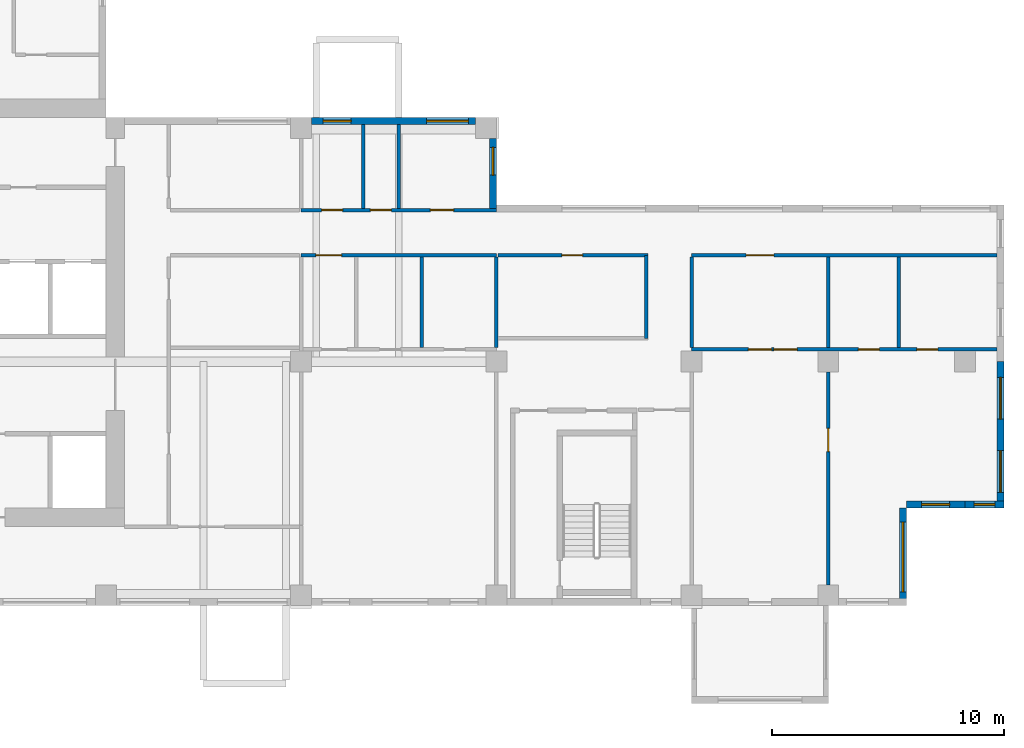
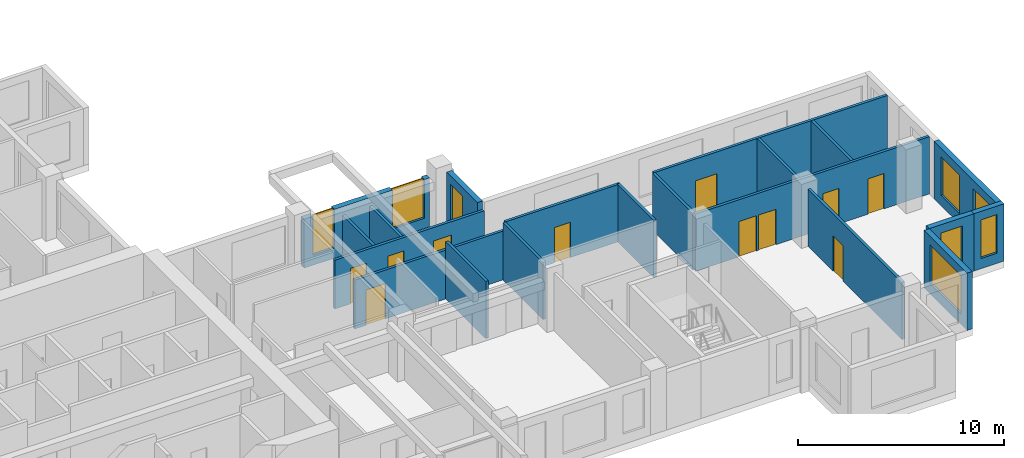
# One storey, part 5 of 12: 20 walls, 11 doors, 8 windows, 19 openings.
"""IFC4 building model written with IfcOpenShell, lengths in metres."""

from ifc_helpers import new_model, si_unit, direction, frame, frame_2d, origin, place, context, subcontext, project, spatial, rectangle, extrude, source, transform, mapped, material, layer, layer_set, type_object, element, fill, save


model = new_model("IFC4")

# Units and contexts
model_context = context("Model", 3, precision=1e-05, world=origin(), true_north=direction((0.0, 1.0)))
body_context = subcontext(model_context, "Body", "Model", "MODEL_VIEW")
ifc_project = project(units=[si_unit("LENGTHUNIT", "METRE"), si_unit("AREAUNIT", "SQUARE_METRE"), si_unit("VOLUMEUNIT", "CUBIC_METRE"), si_unit("PLANEANGLEUNIT", "RADIAN"), si_unit("MASSUNIT", "GRAM", prefix="KILO")], contexts=[model_context])

# Site, building, storey
site_placement = place(None, origin())
site = spatial("IfcSite", under=ifc_project, at=site_placement, CompositionType="ELEMENT")
building_placement = place(site_placement, origin())
building = spatial("IfcBuilding", under=site, at=building_placement, Name="Aurelian Terraces", CompositionType="ELEMENT")
storey_placement = place(building_placement, frame((0.0, 0.0, 189.2)))
storey = spatial("IfcBuildingStorey", under=building, at=storey_placement, Name="L41", CompositionType="ELEMENT", Elevation=189.2)

# Wall, openings, windows
ifc_material_1 = material(Name="Terracotta rainscreen cladding", Category="masonry")
ifc_layer_1 = layer(ifc_material_1, 0.3)
ifc_layer_set_1 = layer_set([ifc_layer_1], Name="EW-300")
wall_type_1 = type_object("IfcWallType", Name="EW-300", PredefinedType="STANDARD", material=ifc_layer_set_1)
wall_1_placement = place(storey_placement, frame((36.9, 20.85, 0.0), z_axis=(0.0, 0.0, 1.0), x_axis=(-1.0, 0.0, 0.0)))
wall_1 = element("IfcWall", 1, at=wall_1_placement, inside=storey, type_object=wall_type_1, Name="External wall L41 F07.16", PredefinedType="STANDARD", context=body_context, shape_type="SweptSolid", body=[
    extrude(rectangle(XDim=7.05, YDim=0.3, at=frame_2d((3.525, 0.0))), origin(), (0.0, 0.0, 1.0), 2.9),
])
shared_shape_1 = source(origin(), body_context, "Body", "SweptSolid", [
    extrude(rectangle(XDim=1.8, YDim=2.3, at=frame_2d((0.9, 1.15))), frame((0.0, 0.16, 0.0), z_axis=(0.0, -1.0, 0.0), x_axis=(1.0, 0.0, 0.0)), (0.0, 0.0, 1.0), 0.32),
])
opening_1_placement = place(wall_1_placement, frame((0.3, 0.0, 0.6)))
opening_1 = element("IfcOpeningElement", 2, at=opening_1_placement, cuts=wall_1, Name="Opening W1823", PredefinedType="OPENING", context=body_context, shape_type="MappedRepresentation", body=[
    mapped(shared_shape_1, transform((0.0, 0.0, 0.0), scale=1.0)),
])
shared_shape_2 = source(origin(), body_context, "Body", "SweptSolid", [
    extrude(rectangle(XDim=1.2, YDim=2.3, at=frame_2d((0.6, 1.15))), frame((0.0, 0.16, 0.0), z_axis=(0.0, -1.0, 0.0), x_axis=(1.0, 0.0, 0.0)), (0.0, 0.0, 1.0), 0.32),
])
opening_2_placement = place(wall_1_placement, frame((5.354, 0.0, 0.6)))
opening_2 = element("IfcOpeningElement", 3, at=opening_2_placement, cuts=wall_1, Name="Opening W1223", PredefinedType="OPENING", context=body_context, shape_type="MappedRepresentation", body=[
    mapped(shared_shape_2, transform((0.0, 0.0, 0.0), scale=1.0)),
])
ifc_material_2 = material(Name="Clear glazing", Category="glass")
window_type_1 = type_object("IfcWindowType", Name="W-1200x2300", PartitioningType="SINGLE_PANEL", PredefinedType="WINDOW", material=ifc_material_2)
shared_shape_3 = source(origin(), body_context, "Body", "SweptSolid", [
    extrude(rectangle(XDim=1.2, YDim=2.3, at=frame_2d((0.6, 1.15))), frame((0.0, 0.03, 0.0), z_axis=(0.0, -1.0, 0.0), x_axis=(1.0, 0.0, 0.0)), (0.0, 0.0, 1.0), 0.06),
])
window_1_placement = place(opening_2_placement, origin())
window_1 = element("IfcWindow", 4, at=window_1_placement, inside=storey, type_object=window_type_1, Name="Window L41 L41-F07-16-1", OverallHeight=2.3, OverallWidth=1.2, PartitioningType="SINGLE_PANEL", PredefinedType="WINDOW", context=body_context, shape_type="MappedRepresentation", body=[
    mapped(shared_shape_3, transform((0.0, 0.0, 0.0), scale=1.0)),
])
fill(opening_2, window_1)
window_type_2 = type_object("IfcWindowType", Name="W-1800x2300", PartitioningType="SINGLE_PANEL", PredefinedType="WINDOW", material=ifc_material_2)
shared_shape_4 = source(origin(), body_context, "Body", "SweptSolid", [
    extrude(rectangle(XDim=1.8, YDim=2.3, at=frame_2d((0.9, 1.15))), frame((0.0, 0.03, 0.0), z_axis=(0.0, -1.0, 0.0), x_axis=(1.0, 0.0, 0.0)), (0.0, 0.0, 1.0), 0.06),
])
window_2_placement = place(opening_1_placement, origin())
window_2 = element("IfcWindow", 5, at=window_2_placement, inside=storey, type_object=window_type_2, Name="Window L41 L41-F07-16-0", OverallHeight=2.3, OverallWidth=1.8, PartitioningType="SINGLE_PANEL", PredefinedType="WINDOW", context=body_context, shape_type="MappedRepresentation", body=[
    mapped(shared_shape_4, transform((0.0, 0.0, 0.0), scale=1.0)),
])
fill(opening_1, window_2)

# Wall, opening, window
shared_shape_5 = source(origin(), body_context, "Body", "SweptSolid", [
    extrude(rectangle(XDim=4.2, YDim=0.3, at=frame_2d((2.1, 0.0))), origin(), (0.0, 0.0, 1.0), 3.4),
])
wall_2_placement = place(storey_placement, frame((55.29, 0.0, 0.0), z_axis=(0.0, 0.0, 1.0), x_axis=(0.0, 1.0, 0.0)))
wall_2 = element("IfcWall", 6, at=wall_2_placement, inside=storey, type_object=wall_type_1, Name="External wall L41 F02.8", PredefinedType="STANDARD", context=body_context, shape_type="MappedRepresentation", body=[
    mapped(shared_shape_5, transform((0.0, 0.0, 0.0), scale=1.0)),
])
shared_shape_6 = source(origin(), body_context, "Body", "SweptSolid", [
    extrude(rectangle(XDim=3.0, YDim=2.3, at=frame_2d((1.5, 1.15))), frame((0.0, 0.16, 0.0), z_axis=(0.0, -1.0, 0.0), x_axis=(1.0, 0.0, 0.0)), (0.0, 0.0, 1.0), 0.32),
])
opening_3_placement = place(wall_2_placement, frame((0.6, 0.0, 0.6)))
opening_3 = element("IfcOpeningElement", 7, at=opening_3_placement, cuts=wall_2, Name="Opening W3023", PredefinedType="OPENING", context=body_context, shape_type="MappedRepresentation", body=[
    mapped(shared_shape_6, transform((0.0, 0.0, 0.0), scale=1.0)),
])
window_type_3 = type_object("IfcWindowType", Name="W-3000x2300", PartitioningType="SINGLE_PANEL", PredefinedType="WINDOW", material=ifc_material_2)
shared_shape_7 = source(origin(), body_context, "Body", "SweptSolid", [
    extrude(rectangle(XDim=3.0, YDim=2.3, at=frame_2d((1.5, 1.15))), frame((0.0, 0.03, 0.0), z_axis=(0.0, -1.0, 0.0), x_axis=(1.0, 0.0, 0.0)), (0.0, 0.0, 1.0), 0.06),
])
window_3_placement = place(opening_3_placement, origin())
window_3 = element("IfcWindow", 8, at=window_3_placement, inside=storey, type_object=window_type_3, Name="Window L41 L41-F02-08-0", OverallHeight=2.3, OverallWidth=3.0, PartitioningType="SINGLE_PANEL", PredefinedType="WINDOW", context=body_context, shape_type="MappedRepresentation", body=[
    mapped(shared_shape_7, transform((0.0, 0.0, 0.0), scale=1.0)),
])
fill(opening_3, window_3)

shared_shape_8 = source(origin(), body_context, "Body", "SweptSolid", [
    extrude(rectangle(XDim=2.52, YDim=0.3, at=frame_2d((1.26, 0.0))), origin(), (0.0, 0.0, 1.0), 3.4),
])
wall_3_placement = place(storey_placement, frame((55.44, 4.35, 0.0), z_axis=(0.0, 0.0, 1.0), x_axis=(1.0, 0.0, 0.0)))
wall_3 = element("IfcWall", 9, at=wall_3_placement, inside=storey, type_object=wall_type_1, Name="External wall L41 F03.9", PredefinedType="STANDARD", context=body_context, shape_type="MappedRepresentation", body=[
    mapped(shared_shape_8, transform((0.0, 0.0, 0.0), scale=1.0)),
])
opening_4_placement = place(wall_3_placement, frame((0.66, 0.0, 0.6)))
opening_4 = element("IfcOpeningElement", 10, at=opening_4_placement, cuts=wall_3, Name="Opening W1223", PredefinedType="OPENING", context=body_context, shape_type="MappedRepresentation", body=[
    mapped(shared_shape_2, transform((0.0, 0.0, 0.0), scale=1.0)),
])
window_4_placement = place(opening_4_placement, origin())
window_4 = element("IfcWindow", 11, at=window_4_placement, inside=storey, type_object=window_type_1, Name="Window L41 L41-F03-09-0", OverallHeight=2.3, OverallWidth=1.2, PartitioningType="SINGLE_PANEL", PredefinedType="WINDOW", context=body_context, shape_type="MappedRepresentation", body=[
    mapped(shared_shape_3, transform((0.0, 0.0, 0.0), scale=1.0)),
])
fill(opening_4, window_4)

shared_shape_9 = source(origin(), body_context, "Body", "SweptSolid", [
    extrude(rectangle(XDim=1.68, YDim=0.3, at=frame_2d((0.84, 0.0))), origin(), (0.0, 0.0, 1.0), 3.4),
])
wall_4_placement = place(storey_placement, frame((57.96, 4.35, 0.0), z_axis=(0.0, 0.0, 1.0), x_axis=(1.0, 0.0, 0.0)))
wall_4 = element("IfcWall", 12, at=wall_4_placement, inside=storey, type_object=wall_type_1, Name="External wall L41 F03.10", PredefinedType="STANDARD", context=body_context, shape_type="MappedRepresentation", body=[
    mapped(shared_shape_9, transform((0.0, 0.0, 0.0), scale=1.0)),
])
shared_shape_10 = source(origin(), body_context, "Body", "SweptSolid", [
    extrude(rectangle(XDim=0.9, YDim=2.3, at=frame_2d((0.45, 1.15))), frame((0.0, 0.16, 0.0), z_axis=(0.0, -1.0, 0.0), x_axis=(1.0, 0.0, 0.0)), (0.0, 0.0, 1.0), 0.32),
])
opening_5_placement = place(wall_4_placement, frame((0.39, 0.0, 0.6)))
opening_5 = element("IfcOpeningElement", 13, at=opening_5_placement, cuts=wall_4, Name="Opening W0923", PredefinedType="OPENING", context=body_context, shape_type="MappedRepresentation", body=[
    mapped(shared_shape_10, transform((0.0, 0.0, 0.0), scale=1.0)),
])
window_type_4 = type_object("IfcWindowType", Name="W-900x2300", PartitioningType="SINGLE_PANEL", PredefinedType="WINDOW", material=ifc_material_2)
shared_shape_11 = source(origin(), body_context, "Body", "SweptSolid", [
    extrude(rectangle(XDim=0.9, YDim=2.3, at=frame_2d((0.45, 1.15))), frame((0.0, 0.03, 0.0), z_axis=(0.0, -1.0, 0.0), x_axis=(1.0, 0.0, 0.0)), (0.0, 0.0, 1.0), 0.06),
])
window_5_placement = place(opening_5_placement, origin())
window_5 = element("IfcWindow", 14, at=window_5_placement, inside=storey, type_object=window_type_4, Name="Window L41 L41-F03-10-P0", OverallHeight=2.3, OverallWidth=0.9, PartitioningType="SINGLE_PANEL", PredefinedType="WINDOW", context=body_context, shape_type="MappedRepresentation", body=[
    mapped(shared_shape_11, transform((0.0, 0.0, 0.0), scale=1.0)),
])
fill(opening_5, window_5)

# Wall, openings, windows
shared_shape_12 = source(origin(), body_context, "Body", "SweptSolid", [
    extrude(rectangle(XDim=6.3, YDim=0.3, at=frame_2d((3.15, 0.0))), origin(), (0.0, 0.0, 1.0), 3.4),
])
wall_5_placement = place(storey_placement, frame((59.49, 4.2, 0.0), z_axis=(0.0, 0.0, 1.0), x_axis=(0.0, 1.0, 0.0)))
wall_5 = element("IfcWall", 15, at=wall_5_placement, inside=storey, type_object=wall_type_1, Name="External wall L41 F04.11", PredefinedType="STANDARD", context=body_context, shape_type="MappedRepresentation", body=[
    mapped(shared_shape_12, transform((0.0, 0.0, 0.0), scale=1.0)),
])
opening_6_placement = place(wall_5_placement, frame((0.675, 0.0, 0.6)))
opening_6 = element("IfcOpeningElement", 16, at=opening_6_placement, cuts=wall_5, Name="Opening W1823", PredefinedType="OPENING", context=body_context, shape_type="MappedRepresentation", body=[
    mapped(shared_shape_1, transform((0.0, 0.0, 0.0), scale=1.0)),
])
opening_7_placement = place(wall_5_placement, frame((3.825, 0.0, 0.6)))
opening_7 = element("IfcOpeningElement", 17, at=opening_7_placement, cuts=wall_5, Name="Opening W1823", PredefinedType="OPENING", context=body_context, shape_type="MappedRepresentation", body=[
    mapped(shared_shape_1, transform((0.0, 0.0, 0.0), scale=1.0)),
])
window_6_placement = place(opening_6_placement, origin())
window_6 = element("IfcWindow", 18, at=window_6_placement, inside=storey, type_object=window_type_2, Name="Window L41 L41-F04-11-0", OverallHeight=2.3, OverallWidth=1.8, PartitioningType="SINGLE_PANEL", PredefinedType="WINDOW", context=body_context, shape_type="MappedRepresentation", body=[
    mapped(shared_shape_4, transform((0.0, 0.0, 0.0), scale=1.0)),
])
fill(opening_6, window_6)
window_7_placement = place(opening_7_placement, origin())
window_7 = element("IfcWindow", 19, at=window_7_placement, inside=storey, type_object=window_type_2, Name="Window L41 L41-F04-11-1", OverallHeight=2.3, OverallWidth=1.8, PartitioningType="SINGLE_PANEL", PredefinedType="WINDOW", context=body_context, shape_type="MappedRepresentation", body=[
    mapped(shared_shape_4, transform((0.0, 0.0, 0.0), scale=1.0)),
])
fill(opening_7, window_7)

# Wall, opening, window
shared_shape_13 = source(origin(), body_context, "Body", "SweptSolid", [
    extrude(rectangle(XDim=3.0, YDim=0.3, at=frame_2d((1.5, 0.0))), origin(), (0.0, 0.0, 1.0), 3.4),
])
wall_6_placement = place(storey_placement, frame((37.65, 17.1, 0.0), z_axis=(0.0, 0.0, 1.0), x_axis=(0.0, 1.0, 0.0)))
wall_6 = element("IfcWall", 20, at=wall_6_placement, inside=storey, type_object=wall_type_1, Name="External wall L41 F06.15", PredefinedType="STANDARD", context=body_context, shape_type="MappedRepresentation", body=[
    mapped(shared_shape_13, transform((0.0, 0.0, 0.0), scale=1.0)),
])
opening_8_placement = place(wall_6_placement, frame((1.425, 0.0, 0.6)))
opening_8 = element("IfcOpeningElement", 21, at=opening_8_placement, cuts=wall_6, Name="Opening W1223", PredefinedType="OPENING", context=body_context, shape_type="MappedRepresentation", body=[
    mapped(shared_shape_2, transform((0.0, 0.0, 0.0), scale=1.0)),
])
window_8_placement = place(opening_8_placement, origin())
window_8 = element("IfcWindow", 22, at=window_8_placement, inside=storey, type_object=window_type_1, Name="Window L41 L41-F06-15-0", OverallHeight=2.3, OverallWidth=1.2, PartitioningType="SINGLE_PANEL", PredefinedType="WINDOW", context=body_context, shape_type="MappedRepresentation", body=[
    mapped(shared_shape_3, transform((0.0, 0.0, 0.0), scale=1.0)),
])
fill(opening_8, window_8)

# Wall, opening, door
ifc_material_3 = material(Name="Gypsum board on steel studs", Category="steel")
ifc_layer_2 = layer(ifc_material_3, 0.15)
ifc_layer_set_2 = layer_set([ifc_layer_2], Name="Fire partition 150")
wall_type_2 = type_object("IfcWallType", Name="Fire partition 150", PredefinedType="PARTITIONING", material=ifc_layer_set_2)
shared_shape_14 = source(origin(), body_context, "Body", "SweptSolid", [
    extrude(rectangle(XDim=6.45, YDim=0.15, at=frame_2d((3.225, 0.0))), origin(), (0.0, 0.0, 1.0), 3.4),
])
wall_7_placement = place(storey_placement, frame((44.325, 15.075, 0.0), z_axis=(0.0, 0.0, 1.0), x_axis=(-1.0, 0.0, 0.0)))
wall_7 = element("IfcWall", 23, at=wall_7_placement, inside=storey, type_object=wall_type_2, Name="Corridor wall", PredefinedType="PARTITIONING", context=body_context, shape_type="MappedRepresentation", body=[
    mapped(shared_shape_14, transform((0.0, 0.0, 0.0), scale=1.0)),
])
shared_shape_15 = source(origin(), body_context, "Body", "SweptSolid", [
    extrude(rectangle(XDim=0.9, YDim=2.1, at=frame_2d((0.45, 1.05))), frame((0.0, 0.085, 0.0), z_axis=(0.0, -1.0, 0.0), x_axis=(1.0, 0.0, 0.0)), (0.0, 0.0, 1.0), 0.17),
])
opening_9_placement = place(wall_7_placement, frame((2.8125, 0.0, 0.0)))
opening_9 = element("IfcOpeningElement", 24, at=opening_9_placement, cuts=wall_7, Name="Opening 741005", PredefinedType="OPENING", context=body_context, shape_type="MappedRepresentation", body=[
    mapped(shared_shape_15, transform((0.0, 0.0, 0.0), scale=1.0)),
])
ifc_material_4 = material(Name="Timber door leaf", Category="wood")
door_type_1 = type_object("IfcDoorType", Name="Room door 900x2100 right", OperationType="SINGLE_SWING_RIGHT", PredefinedType="DOOR", material=ifc_material_4)
shared_shape_16 = source(origin(), body_context, "Body", "SweptSolid", [
    extrude(rectangle(XDim=0.9, YDim=2.1, at=frame_2d((0.45, 1.05))), frame((0.0, 0.025, 0.0), z_axis=(0.0, -1.0, 0.0), x_axis=(1.0, 0.0, 0.0)), (0.0, 0.0, 1.0), 0.05),
])
door_1_placement = place(opening_9_placement, origin())
door_1 = element("IfcDoor", 25, at=door_1_placement, inside=storey, type_object=door_type_1, Name="Door 741005", OperationType="SINGLE_SWING_RIGHT", OverallHeight=2.1, OverallWidth=0.9, PredefinedType="DOOR", context=body_context, shape_type="MappedRepresentation", body=[
    mapped(shared_shape_16, transform((0.0, 0.0, 0.0), scale=1.0)),
])
fill(opening_9, door_1)

# Walls
ifc_layer_3 = layer(ifc_material_3, 0.15)
ifc_layer_set_3 = layer_set([ifc_layer_3], Name="Partition 150")
wall_type_3 = type_object("IfcWallType", Name="Partition 150", PredefinedType="PARTITIONING", material=ifc_layer_set_3)
shared_shape_17 = source(origin(), body_context, "Body", "SweptSolid", [
    extrude(rectangle(XDim=3.9, YDim=0.15, at=frame_2d((1.95, 0.0))), origin(), (0.0, 0.0, 1.0), 3.4),
])
wall_8_placement = place(storey_placement, frame((34.5827, 11.1, 0.0), z_axis=(0.0, 0.0, 1.0), x_axis=(0.0, 1.0, 0.0)))
element("IfcWall", 26, at=wall_8_placement, inside=storey, type_object=wall_type_3, Name="Partition", PredefinedType="PARTITIONING", context=body_context, shape_type="MappedRepresentation", body=[
    mapped(shared_shape_17, transform((0.0, 0.0, 0.0), scale=1.0)),
])
wall_9_placement = place(storey_placement, frame((37.8, 11.1, 0.0), z_axis=(0.0, 0.0, 1.0), x_axis=(0.0, 1.0, 0.0)))
element("IfcWall", 27, at=wall_9_placement, inside=storey, type_object=wall_type_2, Name="Party wall", PredefinedType="PARTITIONING", context=body_context, shape_type="MappedRepresentation", body=[
    mapped(shared_shape_17, transform((0.0, 0.0, 0.0), scale=1.0)),
])
for number, where, z_axis, x_axis, name in (
    (28, (52.08, 11.1, 0.0), (0.0, 0.0, 1.0), (0.0, 1.0, 0.0), "Partition"),
    (29, (55.1027, 11.1, 0.0), (0.0, 0.0, 1.0), (0.0, 1.0, 0.0), "Partition"),
):
    element("IfcWall", number, at=place(storey_placement, frame(where, z_axis=z_axis, x_axis=x_axis)), inside=storey, type_object=wall_type_3, Name=name, PredefinedType="PARTITIONING", context=body_context, shape_type="MappedRepresentation", body=[
        mapped(shared_shape_17, transform((0.0, 0.0, 0.0), scale=1.0)),
    ])
wall_10_placement = place(storey_placement, frame((46.2, 11.1, 0.0), z_axis=(0.0, 0.0, 1.0), x_axis=(0.0, 1.0, 0.0)))
element("IfcWall", 30, at=wall_10_placement, inside=storey, type_object=wall_type_2, Name="Party wall", PredefinedType="PARTITIONING", context=body_context, shape_type="MappedRepresentation", body=[
    mapped(shared_shape_17, transform((0.0, 0.0, 0.0), scale=1.0)),
])

# Wall, opening, door
shared_shape_18 = source(origin(), body_context, "Body", "SweptSolid", [
    extrude(rectangle(XDim=9.152, YDim=0.15, at=frame_2d((4.576, 0.0))), origin(), (0.0, 0.0, 1.0), 3.4),
])
wall_11_placement = place(storey_placement, frame((52.08, 0.899, 0.0), z_axis=(0.0, 0.0, 1.0), x_axis=(0.0, 1.0, 0.0)))
wall_11 = element("IfcWall", 31, at=wall_11_placement, inside=storey, type_object=wall_type_3, Name="Partition", PredefinedType="PARTITIONING", context=body_context, shape_type="MappedRepresentation", body=[
    mapped(shared_shape_18, transform((0.0, 0.0, 0.0), scale=1.0)),
])
shared_shape_19 = source(origin(), body_context, "Body", "SweptSolid", [
    extrude(rectangle(XDim=1.0, YDim=2.1, at=frame_2d((0.5, 1.05))), frame((0.0, 0.085, 0.0), z_axis=(0.0, -1.0, 0.0), x_axis=(1.0, 0.0, 0.0)), (0.0, 0.0, 1.0), 0.17),
])
opening_10_placement = place(wall_11_placement, frame((5.726, 0.0, 0.0)))
opening_10 = element("IfcOpeningElement", 32, at=opening_10_placement, cuts=wall_11, Name="Opening 741014", PredefinedType="OPENING", context=body_context, shape_type="MappedRepresentation", body=[
    mapped(shared_shape_19, transform((0.0, 0.0, 0.0), scale=1.0)),
])
door_type_2 = type_object("IfcDoorType", Name="Room door 1000x2100 right", OperationType="SINGLE_SWING_RIGHT", PredefinedType="DOOR", material=ifc_material_4)
shared_shape_20 = source(origin(), body_context, "Body", "SweptSolid", [
    extrude(rectangle(XDim=1.0, YDim=2.1, at=frame_2d((0.5, 1.05))), frame((0.0, 0.025, 0.0), z_axis=(0.0, -1.0, 0.0), x_axis=(1.0, 0.0, 0.0)), (0.0, 0.0, 1.0), 0.05),
])
door_2_placement = place(opening_10_placement, origin())
door_2 = element("IfcDoor", 33, at=door_2_placement, inside=storey, type_object=door_type_2, Name="Door 741014", OperationType="SINGLE_SWING_RIGHT", OverallHeight=2.1, OverallWidth=1.0, PredefinedType="DOOR", context=body_context, shape_type="MappedRepresentation", body=[
    mapped(shared_shape_20, transform((0.0, 0.0, 0.0), scale=1.0)),
])
fill(opening_10, door_2)

# Wall, openings, doors
shared_shape_21 = source(origin(), body_context, "Body", "SweptSolid", [
    extrude(rectangle(XDim=13.14, YDim=0.15, at=frame_2d((6.57, 0.0))), origin(), (0.0, 0.0, 1.0), 3.4),
])
wall_12_placement = place(storey_placement, frame((59.34, 11.025, 0.0), z_axis=(0.0, 0.0, 1.0), x_axis=(-1.0, 0.0, 0.0)))
wall_12 = element("IfcWall", 34, at=wall_12_placement, inside=storey, type_object=wall_type_3, Name="Partition", PredefinedType="PARTITIONING", context=body_context, shape_type="MappedRepresentation", body=[
    mapped(shared_shape_21, transform((0.0, 0.0, 0.0), scale=1.0)),
])
opening_11_placement = place(wall_12_placement, frame((9.7025, 0.0, 0.0)))
opening_11 = element("IfcOpeningElement", 35, at=opening_11_placement, cuts=wall_12, Name="Opening 741012", PredefinedType="OPENING", context=body_context, shape_type="MappedRepresentation", body=[
    mapped(shared_shape_19, transform((0.0, 0.0, 0.0), scale=1.0)),
])
opening_12_placement = place(wall_12_placement, frame((8.602, 0.0, 0.0)))
opening_12 = element("IfcOpeningElement", 36, at=opening_12_placement, cuts=wall_12, Name="Opening 741013", PredefinedType="OPENING", context=body_context, shape_type="MappedRepresentation", body=[
    mapped(shared_shape_19, transform((0.0, 0.0, 0.0), scale=1.0)),
])
opening_13_placement = place(wall_12_placement, frame((5.0611, 0.0, 0.0)))
opening_13 = element("IfcOpeningElement", 37, at=opening_13_placement, cuts=wall_12, Name="Opening 741015", PredefinedType="OPENING", context=body_context, shape_type="MappedRepresentation", body=[
    mapped(shared_shape_15, transform((0.0, 0.0, 0.0), scale=1.0)),
])
opening_14_placement = place(wall_12_placement, frame((2.5461, 0.0, 0.0)))
opening_14 = element("IfcOpeningElement", 38, at=opening_14_placement, cuts=wall_12, Name="Opening 741016", PredefinedType="OPENING", context=body_context, shape_type="MappedRepresentation", body=[
    mapped(shared_shape_15, transform((0.0, 0.0, 0.0), scale=1.0)),
])
door_3_placement = place(opening_11_placement, origin())
door_3 = element("IfcDoor", 39, at=door_3_placement, inside=storey, type_object=door_type_2, Name="Door 741012", OperationType="SINGLE_SWING_RIGHT", OverallHeight=2.1, OverallWidth=1.0, PredefinedType="DOOR", context=body_context, shape_type="MappedRepresentation", body=[
    mapped(shared_shape_20, transform((0.0, 0.0, 0.0), scale=1.0)),
])
fill(opening_11, door_3)
door_type_3 = type_object("IfcDoorType", Name="Room door 1000x2100 left", OperationType="SINGLE_SWING_LEFT", PredefinedType="DOOR", material=ifc_material_4)
door_4_placement = place(opening_12_placement, origin())
door_4 = element("IfcDoor", 40, at=door_4_placement, inside=storey, type_object=door_type_3, Name="Door 741013", OperationType="SINGLE_SWING_LEFT", OverallHeight=2.1, OverallWidth=1.0, PredefinedType="DOOR", context=body_context, shape_type="MappedRepresentation", body=[
    mapped(shared_shape_20, transform((0.0, 0.0, 0.0), scale=1.0)),
])
fill(opening_12, door_4)
door_type_4 = type_object("IfcDoorType", Name="Room door 900x2100 left", OperationType="SINGLE_SWING_LEFT", PredefinedType="DOOR", material=ifc_material_4)
door_5_placement = place(opening_13_placement, origin())
door_5 = element("IfcDoor", 41, at=door_5_placement, inside=storey, type_object=door_type_4, Name="Door 741015", OperationType="SINGLE_SWING_LEFT", OverallHeight=2.1, OverallWidth=0.9, PredefinedType="DOOR", context=body_context, shape_type="MappedRepresentation", body=[
    mapped(shared_shape_16, transform((0.0, 0.0, 0.0), scale=1.0)),
])
fill(opening_13, door_5)
door_6_placement = place(opening_14_placement, origin())
door_6 = element("IfcDoor", 42, at=door_6_placement, inside=storey, type_object=door_type_1, Name="Door 741016", OperationType="SINGLE_SWING_RIGHT", OverallHeight=2.1, OverallWidth=0.9, PredefinedType="DOOR", context=body_context, shape_type="MappedRepresentation", body=[
    mapped(shared_shape_16, transform((0.0, 0.0, 0.0), scale=1.0)),
])
fill(opening_14, door_6)

# Wall, opening, door
wall_13_placement = place(storey_placement, frame((59.34, 15.075, 0.0), z_axis=(0.0, 0.0, 1.0), x_axis=(-1.0, 0.0, 0.0)))
wall_13 = element("IfcWall", 43, at=wall_13_placement, inside=storey, type_object=wall_type_2, Name="Corridor wall", PredefinedType="PARTITIONING", context=body_context, shape_type="MappedRepresentation", body=[
    mapped(shared_shape_21, transform((0.0, 0.0, 0.0), scale=1.0)),
])
shared_shape_22 = source(origin(), body_context, "Body", "SweptSolid", [
    extrude(rectangle(XDim=1.2, YDim=2.1, at=frame_2d((0.6, 1.05))), frame((0.0, 0.085, 0.0), z_axis=(0.0, -1.0, 0.0), x_axis=(1.0, 0.0, 0.0)), (0.0, 0.0, 1.0), 0.17),
])
opening_15_placement = place(wall_13_placement, frame((9.6, 0.0, 0.0)))
opening_15 = element("IfcOpeningElement", 44, at=opening_15_placement, cuts=wall_13, Name="Opening 741011", PredefinedType="OPENING", context=body_context, shape_type="MappedRepresentation", body=[
    mapped(shared_shape_22, transform((0.0, 0.0, 0.0), scale=1.0)),
])
ifc_material_5 = material(Name="Steel door leaf", Category="steel")
door_type_5 = type_object("IfcDoorType", Name="Entrance fire door 1200x2100 left", OperationType="SINGLE_SWING_LEFT", PredefinedType="DOOR", material=ifc_material_5)
shared_shape_23 = source(origin(), body_context, "Body", "SweptSolid", [
    extrude(rectangle(XDim=1.2, YDim=2.1, at=frame_2d((0.6, 1.05))), frame((0.0, 0.025, 0.0), z_axis=(0.0, -1.0, 0.0), x_axis=(1.0, 0.0, 0.0)), (0.0, 0.0, 1.0), 0.05),
])
door_7_placement = place(opening_15_placement, origin())
door_7 = element("IfcDoor", 45, at=door_7_placement, inside=storey, type_object=door_type_5, Name="Door 741011", OperationType="SINGLE_SWING_LEFT", OverallHeight=2.1, OverallWidth=1.2, PredefinedType="DOOR", context=body_context, shape_type="MappedRepresentation", body=[
    mapped(shared_shape_23, transform((0.0, 0.0, 0.0), scale=1.0)),
])
fill(opening_15, door_7)

# Walls
shared_shape_24 = source(origin(), body_context, "Body", "SweptSolid", [
    extrude(rectangle(XDim=3.575, YDim=0.15, at=frame_2d((1.7875, 0.0))), origin(), (0.0, 0.0, 1.0), 3.4),
])
wall_14_placement = place(storey_placement, frame((44.25, 11.5, 0.0), z_axis=(0.0, 0.0, 1.0), x_axis=(0.0, 1.0, 0.0)))
element("IfcWall", 46, at=wall_14_placement, inside=storey, type_object=wall_type_3, Name="Partition", PredefinedType="PARTITIONING", context=body_context, shape_type="MappedRepresentation", body=[
    mapped(shared_shape_24, transform((0.0, 0.0, 0.0), scale=1.0)),
])
shared_shape_25 = source(origin(), body_context, "Body", "SweptSolid", [
    extrude(rectangle(XDim=3.6, YDim=0.15, at=frame_2d((1.8, 0.0))), origin(), (0.0, 0.0, 1.0), 2.4),
])
wall_15_placement = place(storey_placement, frame((32.067, 20.7, 0.0), z_axis=(0.0, 0.0, 1.0), x_axis=(0.0, -1.0, 0.0)))
element("IfcWall", 47, at=wall_15_placement, inside=storey, type_object=wall_type_3, Name="Partition", PredefinedType="PARTITIONING", context=body_context, shape_type="MappedRepresentation", body=[
    mapped(shared_shape_25, transform((0.0, 0.0, 0.0), scale=1.0)),
])
wall_16_placement = place(storey_placement, frame((33.6, 17.1, 0.0), z_axis=(0.0, 0.0, 1.0), x_axis=(0.0, 1.0, 0.0)))
element("IfcWall", 48, at=wall_16_placement, inside=storey, type_object=wall_type_2, Name="Party wall", PredefinedType="PARTITIONING", context=body_context, shape_type="MappedRepresentation", body=[
    mapped(shared_shape_25, transform((0.0, 0.0, 0.0), scale=1.0)),
])

# Wall, opening, door
shared_shape_26 = source(origin(), body_context, "Body", "SweptSolid", [
    extrude(rectangle(XDim=8.4, YDim=0.15, at=frame_2d((4.2, 0.0))), origin(), (0.0, 0.0, 1.0), 2.9),
])
wall_17_placement = place(storey_placement, frame((37.8, 15.075, 0.0), z_axis=(0.0, 0.0, 1.0), x_axis=(-1.0, 0.0, 0.0)))
wall_17 = element("IfcWall", 49, at=wall_17_placement, inside=storey, type_object=wall_type_2, Name="Corridor wall", PredefinedType="PARTITIONING", context=body_context, shape_type="MappedRepresentation", body=[
    mapped(shared_shape_26, transform((0.0, 0.0, 0.0), scale=1.0)),
])
shared_shape_27 = source(origin(), body_context, "Body", "SweptSolid", [
    extrude(rectangle(XDim=1.1, YDim=2.1, at=frame_2d((0.55, 1.05))), frame((0.0, 0.085, 0.0), z_axis=(0.0, -1.0, 0.0), x_axis=(1.0, 0.0, 0.0)), (0.0, 0.0, 1.0), 0.17),
])
opening_16_placement = place(wall_17_placement, frame((6.6615, 0.0, 0.0)))
opening_16 = element("IfcOpeningElement", 50, at=opening_16_placement, cuts=wall_17, Name="Opening 741007", PredefinedType="OPENING", context=body_context, shape_type="MappedRepresentation", body=[
    mapped(shared_shape_27, transform((0.0, 0.0, 0.0), scale=1.0)),
])
door_type_6 = type_object("IfcDoorType", Name="Entrance fire door 1100x2100 left", OperationType="SINGLE_SWING_LEFT", PredefinedType="DOOR", material=ifc_material_5)
shared_shape_28 = source(origin(), body_context, "Body", "SweptSolid", [
    extrude(rectangle(XDim=1.1, YDim=2.1, at=frame_2d((0.55, 1.05))), frame((0.0, 0.025, 0.0), z_axis=(0.0, -1.0, 0.0), x_axis=(1.0, 0.0, 0.0)), (0.0, 0.0, 1.0), 0.05),
])
door_8_placement = place(opening_16_placement, origin())
door_8 = element("IfcDoor", 51, at=door_8_placement, inside=storey, type_object=door_type_6, Name="Door 741007", OperationType="SINGLE_SWING_LEFT", OverallHeight=2.1, OverallWidth=1.1, PredefinedType="DOOR", context=body_context, shape_type="MappedRepresentation", body=[
    mapped(shared_shape_28, transform((0.0, 0.0, 0.0), scale=1.0)),
])
fill(opening_16, door_8)

# Wall, openings, doors
wall_18_placement = place(storey_placement, frame((29.4, 17.025, 0.0), z_axis=(0.0, 0.0, 1.0), x_axis=(1.0, 0.0, 0.0)))
wall_18 = element("IfcWall", 52, at=wall_18_placement, inside=storey, type_object=wall_type_2, Name="Corridor wall", PredefinedType="PARTITIONING", context=body_context, shape_type="MappedRepresentation", body=[
    mapped(shared_shape_26, transform((0.0, 0.0, 0.0), scale=1.0)),
])
opening_17_placement = place(wall_18_placement, frame((0.8835, 0.0, 0.0)))
opening_17 = element("IfcOpeningElement", 53, at=opening_17_placement, cuts=wall_18, Name="Opening 741017", PredefinedType="OPENING", context=body_context, shape_type="MappedRepresentation", body=[
    mapped(shared_shape_15, transform((0.0, 0.0, 0.0), scale=1.0)),
])
opening_18_placement = place(wall_18_placement, frame((2.9835, 0.0, 0.0)))
opening_18 = element("IfcOpeningElement", 54, at=opening_18_placement, cuts=wall_18, Name="Opening 741018", PredefinedType="OPENING", context=body_context, shape_type="MappedRepresentation", body=[
    mapped(shared_shape_15, transform((0.0, 0.0, 0.0), scale=1.0)),
])
opening_19_placement = place(wall_18_placement, frame((5.5567, 0.0, 0.0)))
opening_19 = element("IfcOpeningElement", 55, at=opening_19_placement, cuts=wall_18, Name="Opening 741019", PredefinedType="OPENING", context=body_context, shape_type="MappedRepresentation", body=[
    mapped(shared_shape_19, transform((0.0, 0.0, 0.0), scale=1.0)),
])
door_type_7 = type_object("IfcDoorType", Name="Entrance fire door 1000x2100 left", OperationType="SINGLE_SWING_LEFT", PredefinedType="DOOR", material=ifc_material_5)
door_9_placement = place(opening_19_placement, origin())
door_9 = element("IfcDoor", 56, at=door_9_placement, inside=storey, type_object=door_type_7, Name="Door 741019", OperationType="SINGLE_SWING_LEFT", OverallHeight=2.1, OverallWidth=1.0, PredefinedType="DOOR", context=body_context, shape_type="MappedRepresentation", body=[
    mapped(shared_shape_20, transform((0.0, 0.0, 0.0), scale=1.0)),
])
fill(opening_19, door_9)
door_type_8 = type_object("IfcDoorType", Name="Entrance fire door 900x2100 left", OperationType="SINGLE_SWING_LEFT", PredefinedType="DOOR", material=ifc_material_5)
door_10_placement = place(opening_17_placement, origin())
door_10 = element("IfcDoor", 57, at=door_10_placement, inside=storey, type_object=door_type_8, Name="Door 741017", OperationType="SINGLE_SWING_LEFT", OverallHeight=2.1, OverallWidth=0.9, PredefinedType="DOOR", context=body_context, shape_type="MappedRepresentation", body=[
    mapped(shared_shape_16, transform((0.0, 0.0, 0.0), scale=1.0)),
])
fill(opening_17, door_10)
door_type_9 = type_object("IfcDoorType", Name="Entrance fire door 900x2100 right", OperationType="SINGLE_SWING_RIGHT", PredefinedType="DOOR", material=ifc_material_5)
door_11_placement = place(opening_18_placement, origin())
door_11 = element("IfcDoor", 58, at=door_11_placement, inside=storey, type_object=door_type_9, Name="Door 741018", OperationType="SINGLE_SWING_RIGHT", OverallHeight=2.1, OverallWidth=0.9, PredefinedType="DOOR", context=body_context, shape_type="MappedRepresentation", body=[
    mapped(shared_shape_16, transform((0.0, 0.0, 0.0), scale=1.0)),
])
fill(opening_18, door_11)

save(model, "model.ifc")
